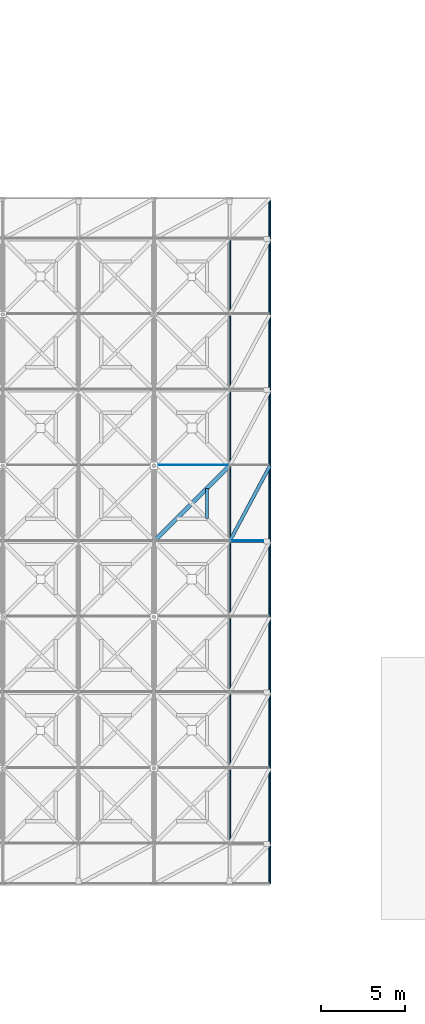
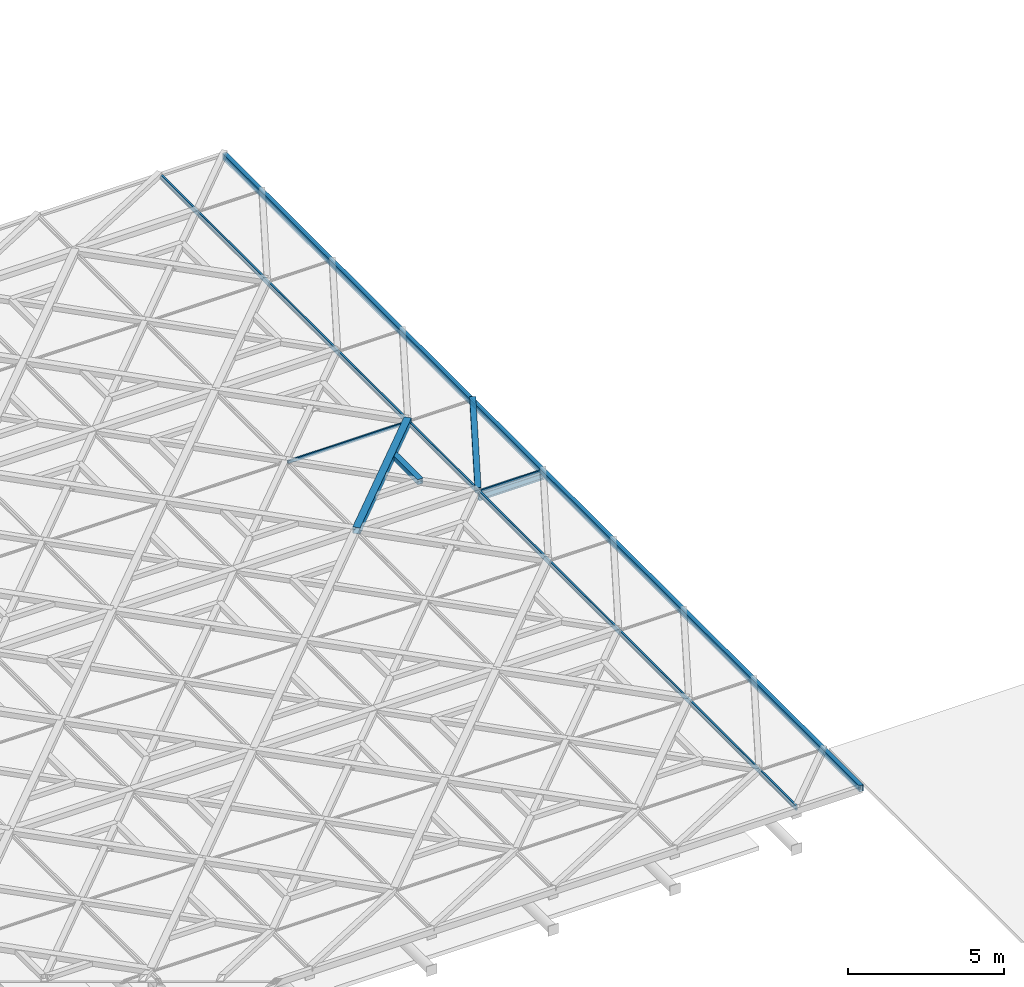
# One storey, part 52 of 80: 7 members, 2 beams, 2 elements without a shape of their own.
"""IFC4 building model written with IfcOpenShell, lengths in metres."""

from ifc_helpers import new_model, si_unit, direction, frame, origin, origin_2d, place, context, subcontext, project, spatial, rectangle, hollow_rectangle, i_section, extrude, material, material_profile, profile_set, type_object, element, aggregate, save


model = new_model("IFC4")

# Units and contexts
model_context = context("Model", 3, precision=1e-05, world=origin(), true_north=direction((0.0, 1.0)))
body_context = subcontext(model_context, "Body", "Model", "MODEL_VIEW")
ifc_project = project(units=[si_unit("LENGTHUNIT", "METRE"), si_unit("AREAUNIT", "SQUARE_METRE"), si_unit("VOLUMEUNIT", "CUBIC_METRE"), si_unit("PLANEANGLEUNIT", "RADIAN"), si_unit("MASSUNIT", "GRAM", prefix="KILO"), si_unit("THERMODYNAMICTEMPERATUREUNIT", "KELVIN"), si_unit("POWERUNIT", "WATT")], contexts=[model_context])

# Site, building, storey
site_placement = place(None, origin())
site = spatial("IfcSite", under=ifc_project, at=site_placement, CompositionType="ELEMENT")
building_placement = place(site_placement, origin())
building = spatial("IfcBuilding", under=site, at=building_placement, Name="Tallowbark Science Centre", CompositionType="ELEMENT")
storey_placement = place(building_placement, frame((0.0, 0.0, 25.949951171875)))
storey = spatial("IfcBuildingStorey", under=building, at=storey_placement, Name="ROOF", CompositionType="ELEMENT", Elevation=25.949951171875)

# Beam
ifc_material_1 = material(Name="White Architectural Painted Steel Grade C350L0 (350 MPa)", Category="steel")
ifc_material_profile_1 = material_profile(ifc_material_1, i_section(OverallWidth=0.146484375, OverallDepth=0.256103515625, WebThickness=0.00634765625, FlangeThickness=0.010986328125, FilletRadius=0.0087890625, at=origin_2d()), Name="250UB37.3")
ifc_profile_set_1 = profile_set([ifc_material_profile_1], Name="White Architectural Painted Steel Grade C350L0 (350 MPa)")
beam_type_1 = type_object("IfcBeamType", Name="BM-OUT250", PredefinedType="BEAM", material=ifc_profile_set_1)
beam_1_placement = place(storey_placement, frame((103.5, 22.5, 0.199951171875), z_axis=(1.0, 0.0, 0.0), x_axis=(0.0, 1.0, 0.0)))
element("IfcBeam", 1, at=beam_1_placement, inside=storey, type_object=beam_type_1, Name="Star Screen Outrigger Tie Beam E-118", PredefinedType="BEAM", context=body_context, shape_type="SweptSolid", body=[
    extrude(i_section(OverallWidth=0.146484375, OverallDepth=0.256103515625, WebThickness=0.00634765625, FlangeThickness=0.010986328125, FilletRadius=0.0087890625, at=origin_2d()), origin(), (0.0, 0.0, 1.0), 2.39990234375),
])

# Curtain wall, members
ifc_material_2 = material(Name="Blue-Tinted Laminated Low-E Skylight Glass", Category="glass")
curtain_wall_type = type_object("IfcCurtainWallType", Name="CW-SKY-ROOF", PredefinedType="NOTDEFINED", material=ifc_material_2)
curtain_wall_1_placement = place(storey_placement, origin())
curtain_wall_1 = element("IfcCurtainWall", 2, at=curtain_wall_1_placement, inside=storey, type_object=curtain_wall_type, Name="Exhibition Star-Screen Skylight Bay 12", PredefinedType="NOTDEFINED")
ifc_material_3 = material(Name="Anodised Architectural Aluminium Alloy 6063-T6", Category="aluminium")
ifc_material_profile_2 = material_profile(ifc_material_3, rectangle(XDim=0.06494140625, YDim=0.179931640625, at=origin_2d()), Name="ALU65x180")
ifc_profile_set_2 = profile_set([ifc_material_profile_2], Name="Anodised Architectural Aluminium Alloy 6063-T6")
member_type_1 = type_object("IfcMemberType", Name="CWM-SKY-MUL", PredefinedType="MULLION", material=ifc_profile_set_2)
member_1_placement = place(storey_placement, frame((103.5400390625, 2.14990234375, 0.35205078125), z_axis=(0.0, 1.0, 0.0), x_axis=(-1.0, 0.0, 0.0)))
member_1 = element("IfcMember", 3, at=member_1_placement, type_object=member_type_1, Name="Skylight Bay 12 Mullion W", PredefinedType="MULLION", context=body_context, shape_type="SweptSolid", body=[
    extrude(rectangle(XDim=0.06494140625, YDim=0.179931640625, at=origin_2d()), origin(), (0.0, 0.0, 1.0), 40.7001953125),
])
member_2_placement = place(storey_placement, frame((105.860107421875, 2.14990234375, 0.35205078125), z_axis=(0.0, 1.0, 0.0), x_axis=(-1.0, 0.0, 0.0)))
member_2 = element("IfcMember", 4, at=member_2_placement, type_object=member_type_1, Name="Skylight Bay 12 Mullion E", PredefinedType="MULLION", context=body_context, shape_type="SweptSolid", body=[
    extrude(rectangle(XDim=0.06494140625, YDim=0.179931640625, at=origin_2d()), origin(), (0.0, 0.0, 1.0), 40.7001953125),
])

# Curtain wall, member
curtain_wall_2_placement = place(storey_placement, origin())
curtain_wall_2 = element("IfcCurtainWall", 5, at=curtain_wall_2_placement, inside=storey, type_object=curtain_wall_type, Name="Exhibition Star-Screen Skylight Bay 11", PredefinedType="NOTDEFINED")
ifc_material_profile_3 = material_profile(ifc_material_3, rectangle(XDim=0.054931640625, YDim=0.1201171875, at=origin_2d()), Name="ALU55x120")
ifc_profile_set_3 = profile_set([ifc_material_profile_3], Name="Anodised Architectural Aluminium Alloy 6063-T6")
member_type_2 = type_object("IfcMemberType", Name="CWM-SKY-TRN", PredefinedType="USERDEFINED", material=ifc_profile_set_3)
member_3_placement = place(storey_placement, frame((99.080078125, 27.0400390625, 0.35205078125), z_axis=(1.0, 0.0, 0.0), x_axis=(0.0, 1.0, 0.0)))
member_3 = element("IfcMember", 6, at=member_3_placement, type_object=member_type_2, Name="Skylight Bay 11 Transom 7", ObjectType="TRANSOM", PredefinedType="USERDEFINED", context=body_context, shape_type="SweptSolid", body=[
    extrude(rectangle(XDim=0.054931640625, YDim=0.1201171875, at=origin_2d()), origin(), (0.0, 0.0, 1.0), 4.33984375),
])
aggregate(curtain_wall_2, [member_3])

# Member
member_4_placement = place(storey_placement, frame((103.580078125, 22.5400390625, 0.35205078125), z_axis=(1.0, 0.0, 0.0), x_axis=(0.0, 1.0, 0.0)))
member_4 = element("IfcMember", 7, at=member_4_placement, type_object=member_type_2, Name="Skylight Bay 12 Transom 6", ObjectType="TRANSOM", PredefinedType="USERDEFINED", context=body_context, shape_type="SweptSolid", body=[
    extrude(rectangle(XDim=0.054931640625, YDim=0.1201171875, at=origin_2d()), origin(), (0.0, 0.0, 1.0), 2.239990234375),
])

aggregate(curtain_wall_1, [member_1, member_2, member_4])

# Members
ifc_material_profile_4 = material_profile(ifc_material_1, hollow_rectangle(XDim=0.25, YDim=0.25, WallThickness=0.009033203125, at=origin_2d()), Name="250x250x9.0SHS")
ifc_profile_set_4 = profile_set([ifc_material_profile_4], Name="White Architectural Painted Steel Grade C350L0 (350 MPa)")
member_type_3 = type_object("IfcMemberType", Name="SCR-CHD200", PredefinedType="CHORD", material=ifc_profile_set_4)
member_5_placement = place(storey_placement, frame((99.0, 22.5, 0.449951171875), z_axis=(0.707106781187, 0.707106781187, 0.0), x_axis=(-0.707106781187, 0.707106781187, 0.0)))
element("IfcMember", 8, at=member_5_placement, inside=storey, type_object=member_type_3, Name="Star Screen Octagram Diamond Chord TOP-72-1", PredefinedType="CHORD", context=body_context, shape_type="SweptSolid", body=[
    extrude(hollow_rectangle(XDim=0.25, YDim=0.25, WallThickness=0.009033203125, at=origin_2d()), origin(), (0.0, 0.0, 1.0), 6.364013671875),
])
ifc_material_profile_5 = material_profile(ifc_material_1, hollow_rectangle(XDim=0.199951171875, YDim=0.199951171875, WallThickness=0.009033203125, at=origin_2d()), Name="200x200x9.0SHS")
ifc_profile_set_5 = profile_set([ifc_material_profile_5], Name="White Architectural Painted Steel Grade C350L0 (350 MPa)")
member_type_4 = type_object("IfcMemberType", Name="SCR-STAR139", PredefinedType="BRACE", material=ifc_profile_set_5)
member_6_placement = place(storey_placement, frame((103.5, 22.5, 0.449951171875), z_axis=(0.470573327259, 0.882360891967, 0.0), x_axis=(-0.882360891967, 0.470573327259, 0.0)))
element("IfcMember", 9, at=member_6_placement, inside=storey, type_object=member_type_4, Name="Top Perimeter Gap Star Diagonal 12-6", PredefinedType="BRACE", context=body_context, shape_type="SweptSolid", body=[
    extrude(hollow_rectangle(XDim=0.199951171875, YDim=0.199951171875, WallThickness=0.009033203125, at=origin_2d()), origin(), (0.0, 0.0, 1.0), 5.099853515625),
])
ifc_material_profile_6 = material_profile(ifc_material_1, hollow_rectangle(XDim=0.199951171875, YDim=0.199951171875, WallThickness=0.009033203125, at=origin_2d()), Name="200x200x9.0SHS")
ifc_profile_set_6 = profile_set([ifc_material_profile_6], Name="White Architectural Painted Steel Grade C350L0 (350 MPa)")
member_type_5 = type_object("IfcMemberType", Name="SCR-SUB150", PredefinedType="BRACE", material=ifc_profile_set_6)
member_7_placement = place(storey_placement, frame((102.14990234375, 23.85009765625, 0.449951171875), z_axis=(0.0, 1.0, 0.0), x_axis=(-1.0, 0.0, 0.0)))
element("IfcMember", 10, at=member_7_placement, inside=storey, type_object=member_type_5, Name="Star Screen Octagram Point Ray TOP-72-4", PredefinedType="BRACE", context=body_context, shape_type="SweptSolid", body=[
    extrude(hollow_rectangle(XDim=0.199951171875, YDim=0.199951171875, WallThickness=0.009033203125, at=origin_2d()), origin(), (0.0, 0.0, 1.0), 1.7998046875),
])

# Beam
ifc_material_profile_7 = material_profile(ifc_material_1, hollow_rectangle(XDim=0.14990234375, YDim=0.25, WallThickness=0.009033203125, at=origin_2d()), Name="250x150x9.0RHS")
ifc_profile_set_7 = profile_set([ifc_material_profile_7], Name="White Architectural Painted Steel Grade C350L0 (350 MPa)")
beam_type_2 = type_object("IfcBeamType", Name="SPN-RHS250", PredefinedType="SPANDREL", material=ifc_profile_set_7)
beam_2_placement = place(storey_placement, frame((105.89990234375, 2.10009765625, 0.324951171875), z_axis=(0.0, 1.0, 0.0), x_axis=(-1.0, 0.0, 0.0)))
element("IfcBeam", 11, at=beam_2_placement, inside=storey, type_object=beam_type_2, Name="Star Screen Perimeter Ring Beam E-ROOF", PredefinedType="SPANDREL", context=body_context, shape_type="SweptSolid", body=[
    extrude(hollow_rectangle(XDim=0.14990234375, YDim=0.25, WallThickness=0.009033203125, at=origin_2d()), origin(), (0.0, 0.0, 1.0), 40.7998046875),
])

save(model, "model.ifc")
